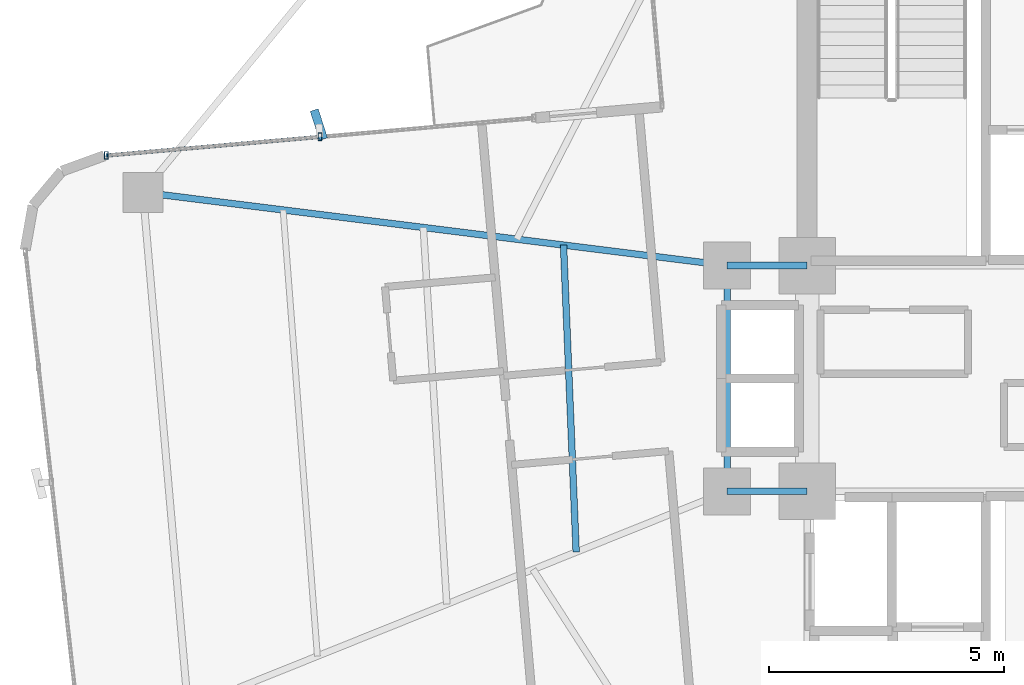
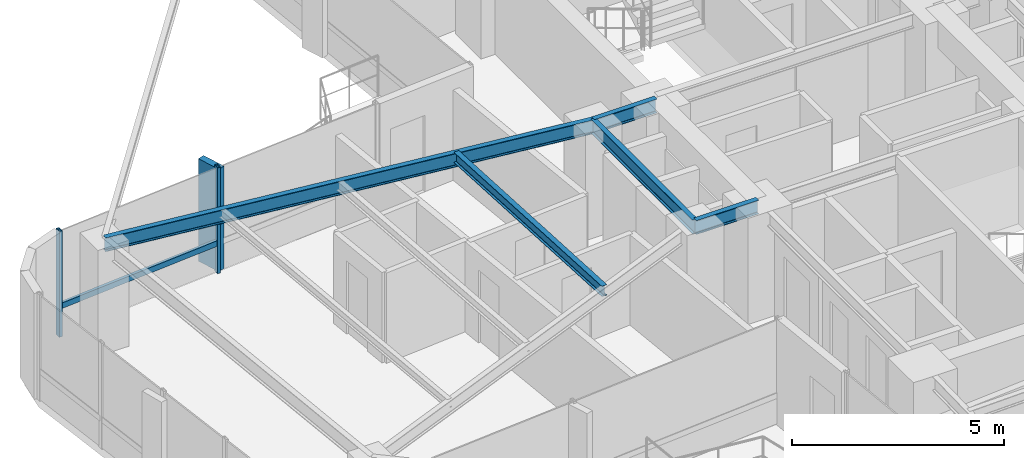
# One storey, part 9 of 24: 5 beams, 4 members, 1 element without a shape of its own.
"""IFC4 building model written with IfcOpenShell, lengths in metres."""

import ifcopenshell
import ifcopenshell.guid

model = None  # the IFC model being written
_history = None  # IfcOwnerHistory: only IFC2X3 demands one
_inside = {}  # id of a spatial element -> (the spatial element, [elements in it])
_under = {}  # id of a project, library or spatial element -> (it, [spatial elements below it])
_declared = {}  # id of a project -> (the project, [libraries it declares])
_typed = {}  # id of a type object -> (the type object, [elements of that type])
_made_of = {}  # id of a material, layer set ... -> (it, [elements and type objects made of it])


def new_model(schema):
    """Start an empty IFC model of exactly this schema.

    Asked for "IFC4X3", IfcOpenShell would pick the latest addendum, in which some entities
    have other attributes; the version numbers below select the first issue.
    IFC2X3 requires an IfcOwnerHistory on every rooted entity: one is made here for all.
    """
    global model, _history
    if schema == "IFC4X3":
        model = ifcopenshell.file(schema_version=(4, 3, 0, 0))
    else:
        model = ifcopenshell.file(schema=schema)
    _inside.clear()
    _under.clear()
    _declared.clear()
    _typed.clear()
    _made_of.clear()
    _history = None
    if model.schema == "IFC2X3":
        org = make("IfcOrganization", Name="unknown")
        user = make(
            "IfcPersonAndOrganization",
            ThePerson=make("IfcPerson", FamilyName="unknown"),
            TheOrganization=org,
        )
        app = make(
            "IfcApplication",
            ApplicationDeveloper=org,
            Version="unknown",
            ApplicationFullName="unknown",
            ApplicationIdentifier="unknown",
        )
        _history = make(
            "IfcOwnerHistory",
            OwningUser=user,
            OwningApplication=app,
            ChangeAction="ADDED",
            CreationDate=0,
        )
    return model


def make(cls, **values):
    """One entity of the class cls with the attributes given. An attribute that is None is left unset."""
    return model.create_entity(
        cls, **{name: value for name, value in values.items() if value is not None}
    )


def rooted(cls, **values):
    """An entity with a GlobalId (a new one), such as an element, a storey or a relation."""
    return make(cls, GlobalId=ifcopenshell.guid.new(), OwnerHistory=_history, **values)


def si_unit(unit_type, name, prefix=None):
    """IfcSIUnit, for example si_unit("LENGTHUNIT", "METRE", prefix="MILLI")."""
    return make("IfcSIUnit", UnitType=unit_type, Prefix=prefix, Name=name)


def assignment(units):
    """IfcUnitAssignment: the units of a project."""
    return None if units is None else make("IfcUnitAssignment", Units=units)


def point(xyz):
    """IfcCartesianPoint."""
    return None if xyz is None else make("IfcCartesianPoint", Coordinates=xyz)


def direction(xyz):
    """IfcDirection."""
    return None if xyz is None else make("IfcDirection", DirectionRatios=xyz)


def frame(location, z_axis=None, x_axis=None):
    """IfcAxis2Placement3D, a coordinate frame: its origin and axes. An axis left out is left unset."""
    return make(
        "IfcAxis2Placement3D",
        Location=point(location),
        Axis=direction(z_axis),
        RefDirection=direction(x_axis),
    )


def frame_2d(location, x_axis=None):
    """IfcAxis2Placement2D, a coordinate frame in the plane: its origin and x axis."""
    return make(
        "IfcAxis2Placement2D", Location=point(location), RefDirection=direction(x_axis)
    )


def origin():
    """The frame at (0, 0, 0) with its axes left unset."""
    return frame((0.0, 0.0, 0.0))


def origin_2d():
    """The frame at (0, 0) in the plane with its x axis left unset."""
    return frame_2d((0.0, 0.0))


def place(relative_to, where):
    """IfcLocalPlacement: puts the frame where relative to a parent placement (None: the world)."""
    return make(
        "IfcLocalPlacement", PlacementRelTo=relative_to, RelativePlacement=where
    )


def context(
    kind, dimensions, precision=None, world=None, true_north=None, identifier=None
):
    """IfcGeometricRepresentationContext, for example the 3D "Model" context."""
    return make(
        "IfcGeometricRepresentationContext",
        ContextIdentifier=identifier,
        ContextType=kind,
        CoordinateSpaceDimension=dimensions,
        Precision=precision,
        WorldCoordinateSystem=world,
        TrueNorth=true_north,
    )


def subcontext(parent, identifier, kind, view, scale=None):
    """IfcGeometricRepresentationSubContext, for example "Body" below "Model"."""
    return make(
        "IfcGeometricRepresentationSubContext",
        ContextIdentifier=identifier,
        ContextType=kind,
        ParentContext=parent,
        TargetScale=scale,
        TargetView=view,
    )


def project(units=None, contexts=None):
    """IfcProject with its units and contexts."""
    return rooted(
        "IfcProject",
        Name="project",
        RepresentationContexts=contexts,
        UnitsInContext=assignment(units),
    )


def spatial(cls, under=None, at=None, **own):
    """A site, building, storey or space (cls), placed at a placement, below another one or the project."""
    s = rooted(cls, ObjectPlacement=at, **own)
    if under is not None:
        _under.setdefault(under.id(), (under, []))[1].append(s)
    return s


def profile(cls, at=None, kind="AREA", **sizes):
    """A parametric profile (cls). Its sizes go by their IFC names, for example OverallWidth=200.0."""
    return make(cls, ProfileType=kind, Position=at, **sizes)


def rectangle(**sizes):
    """IfcRectangleProfileDef."""
    return profile("IfcRectangleProfileDef", **sizes)


def hollow_rectangle(**sizes):
    """IfcRectangleHollowProfileDef."""
    return profile("IfcRectangleHollowProfileDef", **sizes)


def i_section(**sizes):
    """IfcIShapeProfileDef."""
    return profile("IfcIShapeProfileDef", **sizes)


def extrude(swept, where, along, depth):
    """IfcExtrudedAreaSolid: the profile swept, set in the frame where, extruded along a direction by depth."""
    return make(
        "IfcExtrudedAreaSolid",
        SweptArea=swept,
        Position=where,
        ExtrudedDirection=direction(along),
        Depth=depth,
    )


def shape(context_of_items, identifier, shape_type, items):
    """IfcShapeRepresentation: the items that make up one representation, for example the "Body"."""
    return make(
        "IfcShapeRepresentation",
        ContextOfItems=context_of_items,
        RepresentationIdentifier=identifier,
        RepresentationType=shape_type,
        Items=items,
    )


def source(mapping_origin, context_of_items, identifier, shape_type, items):
    """IfcRepresentationMap: a shape defined once, which mapped items show again and again."""
    return make(
        "IfcRepresentationMap",
        MappingOrigin=mapping_origin,
        MappedRepresentation=shape(context_of_items, identifier, shape_type, items),
    )


def transform(
    local_origin,
    x_axis=None,
    y_axis=None,
    z_axis=None,
    scale=None,
    scale2=None,
    scale3=None,
    uniform=True,
):
    """IfcCartesianTransformationOperator3D, or its non-uniform kind. x_axis, y_axis, z_axis: its Axis1, 2, 3."""
    if uniform:
        return make(
            "IfcCartesianTransformationOperator3D",
            Axis1=direction(x_axis),
            Axis2=direction(y_axis),
            LocalOrigin=point(local_origin),
            Scale=scale,
            Axis3=direction(z_axis),
        )
    return make(
        "IfcCartesianTransformationOperator3DnonUniform",
        Axis1=direction(x_axis),
        Axis2=direction(y_axis),
        LocalOrigin=point(local_origin),
        Scale=scale,
        Axis3=direction(z_axis),
        Scale2=scale2,
        Scale3=scale3,
    )


def mapped(mapping_source, mapping_target):
    """IfcMappedItem: shows the shape of a source again, moved by a transform."""
    return make(
        "IfcMappedItem", MappingSource=mapping_source, MappingTarget=mapping_target
    )


def material(Name=None, Category=None):
    """IfcMaterial."""
    return make("IfcMaterial", Name=Name, Category=Category)


def material_profile(
    of_material, cross_section, Name=None, Category=None, Priority=None
):
    """IfcMaterialProfile: a cross section and its material."""
    return make(
        "IfcMaterialProfile",
        Name=Name,
        Material=of_material,
        Profile=cross_section,
        Priority=Priority,
        Category=Category,
    )


def profile_set(profiles, Name=None, composite=None):
    """IfcMaterialProfileSet."""
    return make(
        "IfcMaterialProfileSet",
        Name=Name,
        MaterialProfiles=profiles,
        CompositeProfile=composite,
    )


def made_of(thing, what):
    """Note that an element or type object is made of a material, layer set ...; save() writes the relation."""
    if what is not None:
        _made_of.setdefault(what.id(), (what, []))[1].append(thing)
    return thing


def type_object(cls, material=None, **own):
    """A type object (cls), such as IfcWallType, which elements share."""
    return made_of(rooted(cls, **own), material)


def element(
    cls,
    number,
    at=None,
    inside=None,
    cuts=None,
    type_object=None,
    material=None,
    context=None,
    identifier="Body",
    shape_type=None,
    held_by="IfcProductDefinitionShape",
    body=None,
    shapes=None,
    **own,
):
    """One element of the class cls, such as IfcWall. Its Tag is "e" and its number.

    at: its placement. inside: the storey or other place that contains it. cuts: it is an
    opening in that element (IfcRelVoidsElement). A single representation is given by context,
    identifier, shape_type and body (its items); several are given by shapes. held_by: the class
    of the entity that holds the representations. save() writes the other relations.
    """
    e = rooted(cls, Tag="e%d" % number, ObjectPlacement=at, **own)
    if body is not None:
        shapes = [shape(context, identifier, shape_type, body)]
    if shapes is not None:
        e.Representation = make(held_by, Representations=shapes)
    if inside is not None:
        _inside.setdefault(inside.id(), (inside, []))[1].append(e)
    if cuts is not None:
        rooted(
            "IfcRelVoidsElement", RelatingBuildingElement=cuts, RelatedOpeningElement=e
        )
    if type_object is not None:
        _typed.setdefault(type_object.id(), (type_object, []))[1].append(e)
    return made_of(e, material)


def aggregate(whole, parts):
    """IfcRelAggregates: a whole, such as a stair, and the parts it consists of."""
    return rooted("IfcRelAggregates", RelatingObject=whole, RelatedObjects=parts)


def save(model, path):
    """Write the relations noted so far, then the file.

    IfcRelAggregates (storeys below a building ...), IfcRelContainedInSpatialStructure (elements
    in a storey), IfcRelDefinesByType, IfcRelAssociatesMaterial and IfcRelDeclares: one each for
    every whole, place, type object, material and project.
    """
    for whole, parts in _under.values():
        aggregate(whole, parts)
    for where, things in _inside.values():
        rooted(
            "IfcRelContainedInSpatialStructure",
            RelatedElements=things,
            RelatingStructure=where,
        )
    for kind, things in _typed.values():
        rooted("IfcRelDefinesByType", RelatedObjects=things, RelatingType=kind)
    for what, things in _made_of.values():
        rooted("IfcRelAssociatesMaterial", RelatedObjects=things, RelatingMaterial=what)
    for by, libraries in _declared.values():
        rooted("IfcRelDeclares", RelatingContext=by, RelatedDefinitions=libraries)
    model.write(path)


model = new_model("IFC4")

# Units and contexts
model_context = context("Model", 3, precision=1e-05, world=origin(), true_north=direction((0.0, 1.0)))
body_context = subcontext(model_context, "Body", "Model", "MODEL_VIEW")
ifc_project = project(units=[si_unit("LENGTHUNIT", "METRE"), si_unit("AREAUNIT", "SQUARE_METRE"), si_unit("VOLUMEUNIT", "CUBIC_METRE"), si_unit("PLANEANGLEUNIT", "RADIAN"), si_unit("MASSUNIT", "GRAM", prefix="KILO")], contexts=[model_context])

# Site, building, storey
site_placement = place(None, origin())
site = spatial("IfcSite", under=ifc_project, at=site_placement, CompositionType="ELEMENT")
building_placement = place(site_placement, origin())
building = spatial("IfcBuilding", under=site, at=building_placement, Name="Sahyath Konkavel Grand Hotel", CompositionType="ELEMENT")
storey_placement = place(building_placement, frame((0.0, 0.0, 167.35009765625)))
storey = spatial("IfcBuildingStorey", under=building, at=storey_placement, Name="L46", CompositionType="ELEMENT", Elevation=167.35009765625)

# Beams
ifc_material_1 = material(Name="Steel E350", Category="steel")
ifc_material_profile_1 = material_profile(ifc_material_1, i_section(OverallWidth=0.139892578125, OverallDepth=0.39990234375, WebThickness=0.0087890625, FlangeThickness=0.01611328125, FilletRadius=0.013916015625, at=origin_2d()), Name="ISMB 400")
ifc_profile_set_1 = profile_set([ifc_material_profile_1], Name="Steel E350")
beam_type_1 = type_object("IfcBeamType", Name="BM-ISMB400", PredefinedType="BEAM", material=ifc_profile_set_1)
shared_shape_1 = source(origin(), body_context, "Body", "SweptSolid", [
    extrude(i_section(OverallWidth=0.139892578125, OverallDepth=0.39990234375, WebThickness=0.0087890625, FlangeThickness=0.01611328125, FilletRadius=0.013916015625, at=origin_2d()), origin(), (0.0, 0.0, 1.0), 1.699951171875),
])
for number, where, z_axis, x_axis, name in (
    (1, (-5.5, 2.39990234375, 2.849853515625), (1.0, 0.0, 0.0), (0.0, 1.0, 0.0), "str:bm:L46:HB-NW"),
    (2, (-5.5, -2.39990234375, 2.849853515625), (1.0, 0.0, 0.0), (0.0, 1.0, 0.0), "str:bm:L46:HB-SW"),
):
    element("IfcBeam", number, at=place(storey_placement, frame(where, z_axis=z_axis, x_axis=x_axis)), inside=storey, type_object=beam_type_1, Name=name, PredefinedType="BEAM", context=body_context, shape_type="MappedRepresentation", body=[
        mapped(shared_shape_1, transform((0.0, 0.0, 0.0), scale=1.0)),
    ])
shared_shape_2 = source(origin(), body_context, "Body", "SweptSolid", [
    extrude(i_section(OverallWidth=0.139892578125, OverallDepth=0.39990234375, WebThickness=0.0087890625, FlangeThickness=0.01611328125, FilletRadius=0.013916015625, at=origin_2d()), origin(), (0.0, 0.0, 1.0), 4.7998046875),
])
beam_1_placement = place(storey_placement, frame((-5.5, -2.39990234375, 2.849853515625), z_axis=(0.0, 1.0, 0.0), x_axis=(-1.0, 0.0, 0.0)))
element("IfcBeam", 3, at=beam_1_placement, inside=storey, type_object=beam_type_1, Name="str:bm:L46:HB-W", PredefinedType="BEAM", context=body_context, shape_type="MappedRepresentation", body=[
    mapped(shared_shape_2, transform((0.0, 0.0, 0.0), scale=1.0)),
])
shared_shape_3 = source(origin(), body_context, "Body", "SweptSolid", [
    extrude(i_section(OverallWidth=0.139892578125, OverallDepth=0.39990234375, WebThickness=0.0087890625, FlangeThickness=0.01611328125, FilletRadius=0.013916015625, at=origin_2d()), origin(), (0.0, 0.0, 1.0), 12.509765625),
])
beam_2_placement = place(storey_placement, frame((-5.5, 2.39990234375, 2.849853515625), z_axis=(-0.992254740459, 0.124219684578, 0.0), x_axis=(-0.124219684578, -0.992254740459, 0.0)))
element("IfcBeam", 4, at=beam_2_placement, inside=storey, type_object=beam_type_1, Name="L46 Cruciform Radial Girder WA", PredefinedType="BEAM", context=body_context, shape_type="MappedRepresentation", body=[
    mapped(shared_shape_3, transform((0.0, 0.0, 0.0), scale=1.0)),
])
ifc_material_profile_2 = material_profile(ifc_material_1, i_section(OverallWidth=0.139892578125, OverallDepth=0.300048828125, WebThickness=0.0078125, FlangeThickness=0.01318359375, FilletRadius=0.013916015625, at=origin_2d()), Name="ISMB 300")
ifc_profile_set_2 = profile_set([ifc_material_profile_2], Name="Steel E350")
beam_type_2 = type_object("IfcBeamType", Name="BM-ISMB300", PredefinedType="BEAM", material=ifc_profile_set_2)
shared_shape_4 = source(origin(), body_context, "Body", "SweptSolid", [
    extrude(i_section(OverallWidth=0.139892578125, OverallDepth=0.300048828125, WebThickness=0.0078125, FlangeThickness=0.01318359375, FilletRadius=0.013916015625, at=origin_2d()), origin(), (0.0, 0.0, 1.0), 6.530029296875),
])
beam_3_placement = place(storey_placement, frame((-8.9755859375, 2.835205078125, 2.89990234375), z_axis=(0.04112667768, -0.999153940283, 0.0), x_axis=(0.999153940283, 0.04112667768, 0.0)))
element("IfcBeam", 5, at=beam_3_placement, inside=storey, type_object=beam_type_2, Name="L46 Secondary Floor Beam W-1", PredefinedType="BEAM", context=body_context, shape_type="MappedRepresentation", body=[
    mapped(shared_shape_4, transform((0.0, 0.0, 0.0), scale=1.0)),
])

# Curtain wall, members
ifc_material_2 = material(Name="Anodised Bronze Aluminium & Low-E Glazing", Category="aluminium")
curtain_wall_type = type_object("IfcCurtainWallType", Name="CW-ZONE3", PredefinedType="NOTDEFINED", material=ifc_material_2)
curtain_wall_placement = place(storey_placement, origin())
curtain_wall = element("IfcCurtainWall", 6, at=curtain_wall_placement, inside=storey, type_object=curtain_wall_type, Name="L46 Unitised Curtain Wall F16", PredefinedType="NOTDEFINED")
ifc_material_3 = material(Name="Anodised Bronze Aluminium", Category="aluminium")
ifc_material_profile_3 = material_profile(ifc_material_3, hollow_rectangle(XDim=0.080078125, YDim=0.159912109375, WallThickness=0.006103515625, at=origin_2d()), Name="RHS 160x80x6")
ifc_profile_set_3 = profile_set([ifc_material_profile_3], Name="Anodised Bronze Aluminium")
member_type_1 = type_object("IfcMemberType", Name="CW-MUL-160", PredefinedType="MULLION", material=ifc_profile_set_3)
shared_shape_5 = source(origin(), body_context, "Body", "SweptSolid", [
    extrude(hollow_rectangle(XDim=0.080078125, YDim=0.159912109375, WallThickness=0.006103515625, at=origin_2d()), origin(), (0.0, 0.0, 1.0), 3.0498046875),
])
member_1_placement = place(storey_placement, frame((-14.151611328125, 5.135986328125, 0.0), z_axis=(0.0, 0.0, 1.0), x_axis=(1.0, 0.0, 0.0)))
member_1 = element("IfcMember", 7, at=member_1_placement, type_object=member_type_1, Name="L46 Curtain Wall Mullion F16-1", PredefinedType="MULLION", context=body_context, shape_type="MappedRepresentation", body=[
    mapped(shared_shape_5, transform((0.0, 0.0, 0.0), scale=1.0)),
])
member_2_placement = place(storey_placement, frame((-18.694091796875, 4.73876953125, 0.0), z_axis=(0.0, 0.0, 1.0), x_axis=(1.0, 0.0, 0.0)))
member_2 = element("IfcMember", 8, at=member_2_placement, type_object=member_type_1, Name="L46 Curtain Wall Mullion F16-2", PredefinedType="MULLION", context=body_context, shape_type="MappedRepresentation", body=[
    mapped(shared_shape_5, transform((0.0, 0.0, 0.0), scale=1.0)),
])
ifc_material_4 = material(Name="Warm Buff Sandstone Cladding on Concrete C50/60", Category="masonry")
ifc_material_profile_4 = material_profile(ifc_material_4, rectangle(XDim=0.179931640625, YDim=0.64990234375, at=origin_2d()), Name="FIN 180x650")
ifc_profile_set_4 = profile_set([ifc_material_profile_4], Name="Warm Buff Sandstone Cladding on Concrete C50/60")
member_type_2 = type_object("IfcMemberType", Name="FIN-SANDSTONE-650", PredefinedType="MULLION", material=ifc_profile_set_4)
shared_shape_6 = source(origin(), body_context, "Body", "SweptSolid", [
    extrude(rectangle(XDim=0.179931640625, YDim=0.64990234375, at=origin_2d()), origin(), (0.0, 0.0, 1.0), 2.9501953125),
])
member_3_placement = place(storey_placement, frame((-14.17431640625, 5.39501953125, 0.0498046875), z_axis=(0.0, 0.0, 1.0), x_axis=(0.952022626946, 0.306027642189, 0.0)))
member_3 = element("IfcMember", 9, at=member_3_placement, type_object=member_type_2, Name="L46 Sandstone Vertical Solar Fin FIN F16-1", PredefinedType="MULLION", context=body_context, shape_type="MappedRepresentation", body=[
    mapped(shared_shape_6, transform((0.0, 0.0, 0.0), scale=1.0)),
])
ifc_material_profile_5 = material_profile(ifc_material_3, hollow_rectangle(XDim=0.080078125, YDim=0.159912109375, WallThickness=0.006103515625, at=origin_2d()), Name="RHS 160x80x6")
ifc_profile_set_5 = profile_set([ifc_material_profile_5], Name="Anodised Bronze Aluminium")
member_type_3 = type_object("IfcMemberType", Name="CW-TRN-160", PredefinedType="USERDEFINED", material=ifc_profile_set_5)
shared_shape_7 = source(origin(), body_context, "Body", "SweptSolid", [
    extrude(hollow_rectangle(XDim=0.080078125, YDim=0.159912109375, WallThickness=0.006103515625, at=origin_2d()), origin(), (0.0, 0.0, 1.0), 4.559814453125),
])
member_4_placement = place(storey_placement, frame((-14.151611328125, 5.135986328125, 0.849853515625), z_axis=(-0.99619848155, -0.087112486804, 0.0), x_axis=(0.087112486804, -0.99619848155, 0.0)))
member_4 = element("IfcMember", 10, at=member_4_placement, type_object=member_type_3, Name="L46 Curtain Wall Transom F16-1-spandrel", ObjectType="TRANSOM", PredefinedType="USERDEFINED", context=body_context, shape_type="MappedRepresentation", body=[
    mapped(shared_shape_7, transform((0.0, 0.0, 0.0), scale=1.0)),
])
aggregate(curtain_wall, [member_1, member_3, member_2, member_4])

save(model, "model.ifc")
